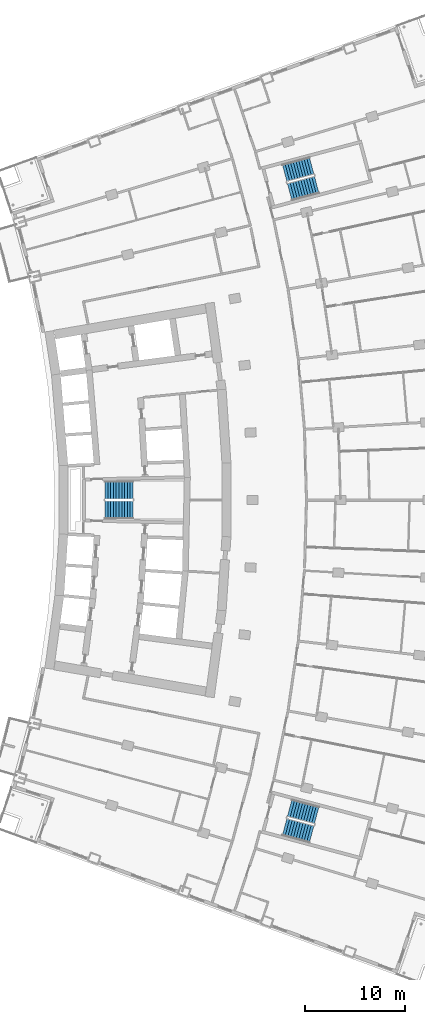
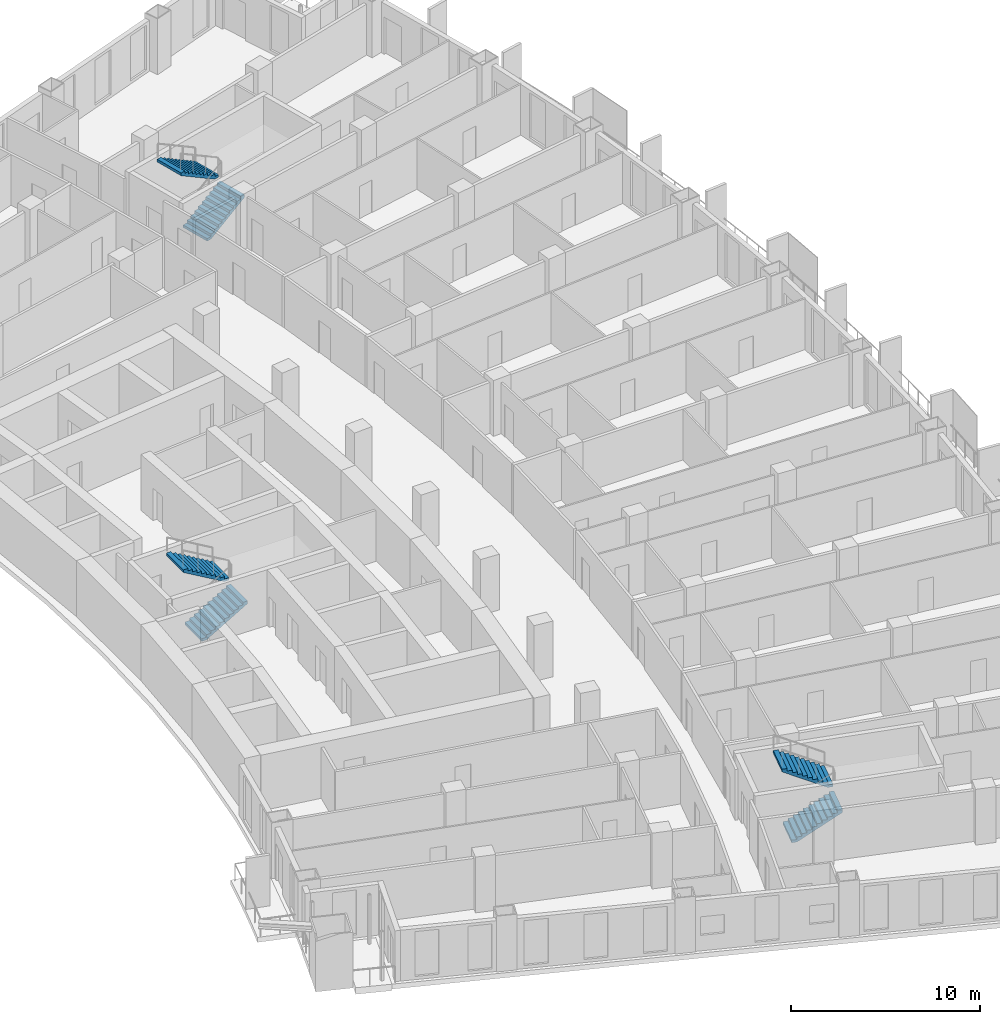
# One storey, part 22 of 25: 6 stair flights, 3 elements without a shape of their own.
"""IFC4 building model written with IfcOpenShell, lengths in metres."""

from ifc_helpers import new_model, si_unit, direction, frame, origin, place, context, subcontext, project, spatial, polyline, outline, extrude, material, layer, layer_set, type_object, element, aggregate, save


model = new_model("IFC4")

# Units and contexts
model_context = context("Model", 3, precision=1e-05, world=origin(), true_north=direction((0.0, 1.0)))
body_context = subcontext(model_context, "Body", "Model", "MODEL_VIEW")
ifc_project = project(units=[si_unit("LENGTHUNIT", "METRE"), si_unit("AREAUNIT", "SQUARE_METRE"), si_unit("VOLUMEUNIT", "CUBIC_METRE"), si_unit("PLANEANGLEUNIT", "RADIAN"), si_unit("MASSUNIT", "GRAM", prefix="KILO")], contexts=[model_context])

# Site, building, storey
site_placement = place(None, origin())
site = spatial("IfcSite", under=ifc_project, at=site_placement, CompositionType="ELEMENT")
building_placement = place(site_placement, origin())
building = spatial("IfcBuilding", under=site, at=building_placement, Name="Alderwake Tower", CompositionType="ELEMENT")
storey_placement = place(building_placement, frame((0.0, 0.0, 68.0)))
storey = spatial("IfcBuildingStorey", under=building, at=storey_placement, Name="L16", CompositionType="ELEMENT", Elevation=68.0)

# Stair, stair flights
ifc_material_1 = material(Name="Concrete C40/50", Category="concrete")
stair_type = type_object("IfcStairType", Name="Core exit stair", PredefinedType="HALF_TURN_STAIR", material=ifc_material_1)
stair_1_placement = place(storey_placement, origin())
stair_1 = element("IfcStair", 1, at=stair_1_placement, inside=storey, type_object=stair_type, Name="L16 Exit Stair B", PredefinedType="HALF_TURN_STAIR")
ifc_material_2 = material(Name="Concrete C40/50", Category="concrete")
ifc_layer = layer(ifc_material_2, 0.14990234375)
ifc_layer_set = layer_set([ifc_layer], Name="Core stair flight")
stair_flight_type = type_object("IfcStairFlightType", Name="Core stair flight", PredefinedType="STRAIGHT", material=ifc_layer_set)
stair_flight_1_placement = place(storey_placement, frame((21.0400390625, 60.02490234375, 0.0), z_axis=(0.0, 0.0, 1.0), x_axis=(1.0, 0.0, 0.0)))
stair_flight_1 = element("IfcStairFlight", 2, at=stair_flight_1_placement, type_object=stair_flight_type, Name="ST-B flight 1", NumberOfRisers=11, NumberOfTreads=10, PredefinedType="STRAIGHT", RiserHeight=0.163636364, TreadLength=0.28, context=body_context, shape_type="SweptSolid", body=[
    extrude(outline(polyline([(0.0, 0.0), (0.0, 0.16357421875), (0.280029296875, 0.16357421875), (0.280029296875, 0.327392578125), (0.56005859375, 0.327392578125), (0.56005859375, 0.490966796875), (0.840087890625, 0.490966796875), (0.840087890625, 0.654541015625), (1.1201171875, 0.654541015625), (1.1201171875, 0.818115234375), (1.39990234375, 0.818115234375), (1.39990234375, 0.98193359375), (1.679931640625, 0.98193359375), (1.679931640625, 1.1455078125), (1.9599609375, 1.1455078125), (1.9599609375, 1.30908203125), (2.239990234375, 1.30908203125), (2.239990234375, 1.47265625), (2.52001953125, 1.47265625), (2.52001953125, 1.636474609375), (2.800048828125, 1.636474609375), (2.800048828125, 1.800048828125), (2.800048828125, 1.462646484375), (0.297119140625, 0.0), (0.0, 0.0)])), frame((0.0, 0.89990234375, 0.0), z_axis=(0.0, -1.0, 0.0), x_axis=(1.0, 0.0, 0.0)), (0.0, 0.0, 1.0), 1.800048828125),
])
stair_flight_2_placement = place(storey_placement, frame((23.840087890625, 61.97509765625, 1.800048828125), z_axis=(0.0, 0.0, 1.0), x_axis=(-1.0, 0.0, 0.0)))
stair_flight_2 = element("IfcStairFlight", 3, at=stair_flight_2_placement, type_object=stair_flight_type, Name="ST-B flight 2", NumberOfRisers=11, NumberOfTreads=10, PredefinedType="STRAIGHT", RiserHeight=0.163636364, TreadLength=0.28, context=body_context, shape_type="SweptSolid", body=[
    extrude(outline(polyline([(0.0, 0.0), (0.0, 0.16357421875), (0.280029296875, 0.16357421875), (0.280029296875, 0.327392578125), (0.56005859375, 0.327392578125), (0.56005859375, 0.490966796875), (0.840087890625, 0.490966796875), (0.840087890625, 0.654541015625), (1.1201171875, 0.654541015625), (1.1201171875, 0.818115234375), (1.39990234375, 0.818115234375), (1.39990234375, 0.98193359375), (1.679931640625, 0.98193359375), (1.679931640625, 1.1455078125), (1.9599609375, 1.1455078125), (1.9599609375, 1.30908203125), (2.239990234375, 1.30908203125), (2.239990234375, 1.47265625), (2.52001953125, 1.47265625), (2.52001953125, 1.636474609375), (2.800048828125, 1.636474609375), (2.800048828125, 1.800048828125), (2.800048828125, 1.462646484375), (0.297119140625, 0.0), (0.0, 0.0)])), frame((0.0, 0.89990234375, 0.0), z_axis=(0.0, -1.0, 0.0), x_axis=(1.0, 0.0, 0.0)), (0.0, 0.0, 1.0), 1.800048828125),
])
aggregate(stair_1, [stair_flight_1, stair_flight_2])

stair_2_placement = place(storey_placement, origin())
stair_2 = element("IfcStair", 4, at=stair_2_placement, inside=storey, type_object=stair_type, Name="L16 Exit Stair A", PredefinedType="HALF_TURN_STAIR")
stair_flight_3_placement = place(storey_placement, frame((39.512939453125, 91.823974609375, 0.0), z_axis=(0.0, 0.0, 1.0), x_axis=(0.966309627437, 0.257382407951, 0.0)))
stair_flight_3 = element("IfcStairFlight", 5, at=stair_flight_3_placement, type_object=stair_flight_type, Name="ST-A flight 1", NumberOfRisers=11, NumberOfTreads=10, PredefinedType="STRAIGHT", RiserHeight=0.163636364, TreadLength=0.28, context=body_context, shape_type="SweptSolid", body=[
    extrude(outline(polyline([(0.0, 0.0), (0.0, 0.16357421875), (0.280029296875, 0.16357421875), (0.280029296875, 0.327392578125), (0.56005859375, 0.327392578125), (0.56005859375, 0.490966796875), (0.840087890625, 0.490966796875), (0.840087890625, 0.654541015625), (1.1201171875, 0.654541015625), (1.1201171875, 0.818115234375), (1.39990234375, 0.818115234375), (1.39990234375, 0.98193359375), (1.679931640625, 0.98193359375), (1.679931640625, 1.1455078125), (1.9599609375, 1.1455078125), (1.9599609375, 1.30908203125), (2.239990234375, 1.30908203125), (2.239990234375, 1.47265625), (2.52001953125, 1.47265625), (2.52001953125, 1.636474609375), (2.800048828125, 1.636474609375), (2.800048828125, 1.800048828125), (2.800048828125, 1.462646484375), (0.297119140625, 0.0), (0.0, 0.0)])), frame((0.0, 0.89990234375, 0.0), z_axis=(0.0, -1.0, 0.0), x_axis=(1.0, 0.0, 0.0)), (0.0, 0.0, 1.0), 1.800048828125),
])
stair_flight_4_placement = place(storey_placement, frame((41.716796875, 94.428955078125, 1.800048828125), z_axis=(0.0, 0.0, 1.0), x_axis=(-0.966309627437, -0.257382407951, 0.0)))
stair_flight_4 = element("IfcStairFlight", 6, at=stair_flight_4_placement, type_object=stair_flight_type, Name="ST-A flight 2", NumberOfRisers=11, NumberOfTreads=10, PredefinedType="STRAIGHT", RiserHeight=0.163636364, TreadLength=0.28, context=body_context, shape_type="SweptSolid", body=[
    extrude(outline(polyline([(0.0, 0.0), (0.0, 0.16357421875), (0.280029296875, 0.16357421875), (0.280029296875, 0.327392578125), (0.56005859375, 0.327392578125), (0.56005859375, 0.490966796875), (0.840087890625, 0.490966796875), (0.840087890625, 0.654541015625), (1.1201171875, 0.654541015625), (1.1201171875, 0.818115234375), (1.39990234375, 0.818115234375), (1.39990234375, 0.98193359375), (1.679931640625, 0.98193359375), (1.679931640625, 1.1455078125), (1.9599609375, 1.1455078125), (1.9599609375, 1.30908203125), (2.239990234375, 1.30908203125), (2.239990234375, 1.47265625), (2.52001953125, 1.47265625), (2.52001953125, 1.636474609375), (2.800048828125, 1.636474609375), (2.800048828125, 1.800048828125), (2.800048828125, 1.462646484375), (0.297119140625, 0.0), (0.0, 0.0)])), frame((0.0, 0.89990234375, 0.0), z_axis=(0.0, -1.0, 0.0), x_axis=(1.0, 0.0, 0.0)), (0.0, 0.0, 1.0), 1.800048828125),
])
aggregate(stair_2, [stair_flight_3, stair_flight_4])

stair_3_placement = place(storey_placement, origin())
stair_3 = element("IfcStair", 7, at=stair_3_placement, inside=storey, type_object=stair_type, Name="L16 Exit Stair C", PredefinedType="HALF_TURN_STAIR")
stair_flight_5_placement = place(storey_placement, frame((39.010986328125, 28.291748046875, 0.0), z_axis=(0.0, 0.0, 1.0), x_axis=(0.966309627437, -0.257382407951, 0.0)))
stair_flight_5 = element("IfcStairFlight", 8, at=stair_flight_5_placement, type_object=stair_flight_type, Name="ST-C flight 1", NumberOfRisers=11, NumberOfTreads=10, PredefinedType="STRAIGHT", RiserHeight=0.163636364, TreadLength=0.28, context=body_context, shape_type="SweptSolid", body=[
    extrude(outline(polyline([(0.0, 0.0), (0.0, 0.16357421875), (0.280029296875, 0.16357421875), (0.280029296875, 0.327392578125), (0.56005859375, 0.327392578125), (0.56005859375, 0.490966796875), (0.840087890625, 0.490966796875), (0.840087890625, 0.654541015625), (1.1201171875, 0.654541015625), (1.1201171875, 0.818115234375), (1.39990234375, 0.818115234375), (1.39990234375, 0.98193359375), (1.679931640625, 0.98193359375), (1.679931640625, 1.1455078125), (1.9599609375, 1.1455078125), (1.9599609375, 1.30908203125), (2.239990234375, 1.30908203125), (2.239990234375, 1.47265625), (2.52001953125, 1.47265625), (2.52001953125, 1.636474609375), (2.800048828125, 1.636474609375), (2.800048828125, 1.800048828125), (2.800048828125, 1.462646484375), (0.297119140625, 0.0), (0.0, 0.0)])), frame((0.0, 0.89990234375, 0.0), z_axis=(0.0, -1.0, 0.0), x_axis=(1.0, 0.0, 0.0)), (0.0, 0.0, 1.0), 1.800048828125),
])
stair_flight_6_placement = place(storey_placement, frame((42.218505859375, 29.455322265625, 1.800048828125), z_axis=(0.0, 0.0, 1.0), x_axis=(-0.966309627437, 0.257382407951, 0.0)))
stair_flight_6 = element("IfcStairFlight", 9, at=stair_flight_6_placement, type_object=stair_flight_type, Name="ST-C flight 2", NumberOfRisers=11, NumberOfTreads=10, PredefinedType="STRAIGHT", RiserHeight=0.163636364, TreadLength=0.28, context=body_context, shape_type="SweptSolid", body=[
    extrude(outline(polyline([(0.0, 0.0), (0.0, 0.16357421875), (0.280029296875, 0.16357421875), (0.280029296875, 0.327392578125), (0.56005859375, 0.327392578125), (0.56005859375, 0.490966796875), (0.840087890625, 0.490966796875), (0.840087890625, 0.654541015625), (1.1201171875, 0.654541015625), (1.1201171875, 0.818115234375), (1.39990234375, 0.818115234375), (1.39990234375, 0.98193359375), (1.679931640625, 0.98193359375), (1.679931640625, 1.1455078125), (1.9599609375, 1.1455078125), (1.9599609375, 1.30908203125), (2.239990234375, 1.30908203125), (2.239990234375, 1.47265625), (2.52001953125, 1.47265625), (2.52001953125, 1.636474609375), (2.800048828125, 1.636474609375), (2.800048828125, 1.800048828125), (2.800048828125, 1.462646484375), (0.297119140625, 0.0), (0.0, 0.0)])), frame((0.0, 0.89990234375, 0.0), z_axis=(0.0, -1.0, 0.0), x_axis=(1.0, 0.0, 0.0)), (0.0, 0.0, 1.0), 1.800048828125),
])
aggregate(stair_3, [stair_flight_5, stair_flight_6])

save(model, "model.ifc")
